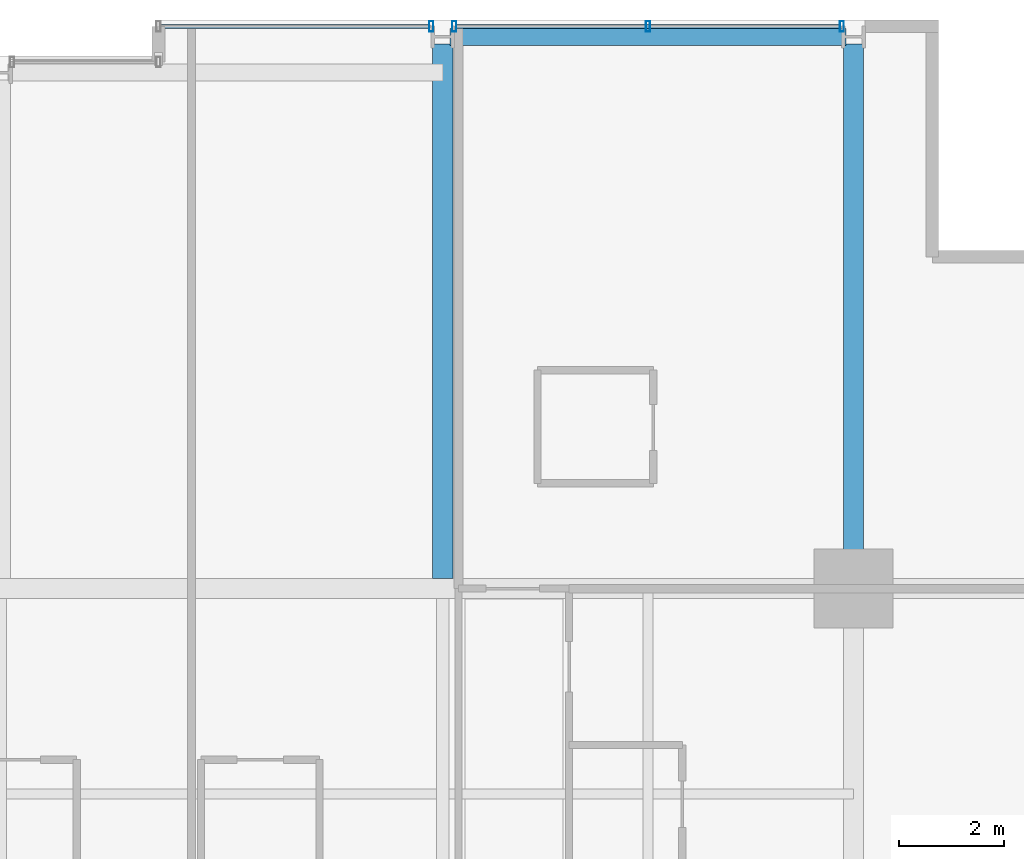
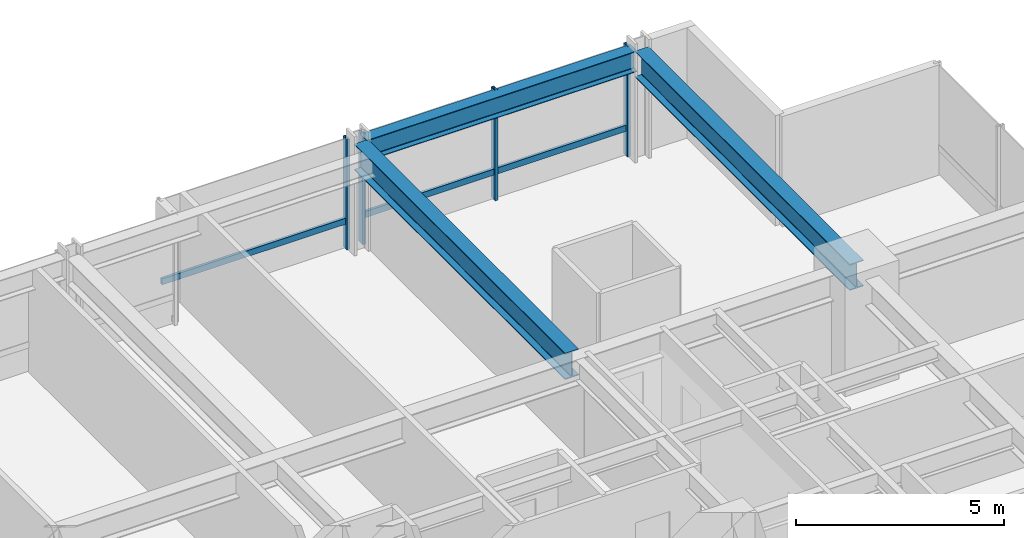
# One storey, part 25 of 35: 6 members, 3 beams, 2 elements without a shape of their own.
"""IFC4 building model written with IfcOpenShell, lengths in metres."""

from ifc_helpers import new_model, si_unit, direction, frame, origin, origin_2d, place, context, subcontext, project, spatial, hollow_rectangle, i_section, extrude, material, layer, layer_set, material_profile, profile_set, type_object, element, aggregate, save


model = new_model("IFC4")

# Units and contexts
model_context = context("Model", 3, precision=1e-05, world=origin(), true_north=direction((0.0, 1.0)))
body_context = subcontext(model_context, "Body", "Model", "MODEL_VIEW")
ifc_project = project(units=[si_unit("LENGTHUNIT", "METRE"), si_unit("AREAUNIT", "SQUARE_METRE"), si_unit("VOLUMEUNIT", "CUBIC_METRE"), si_unit("PLANEANGLEUNIT", "RADIAN"), si_unit("MASSUNIT", "GRAM", prefix="KILO")], contexts=[model_context])

# Site, building, storey
site_placement = place(None, origin())
site = spatial("IfcSite", under=ifc_project, at=site_placement, CompositionType="ELEMENT")
building_placement = place(site_placement, origin())
building = spatial("IfcBuilding", under=site, at=building_placement, Name="Drelvath Grand Hotel", CompositionType="ELEMENT")
storey_placement = place(building_placement, frame((0.0, 0.0, 95.300048828125)))
storey = spatial("IfcBuildingStorey", under=building, at=storey_placement, Name="L23", CompositionType="ELEMENT", Elevation=95.300048828125)

# Curtain wall, member
ifc_material_1 = material(Name="Champagne Bronze Anodised Aluminium Frame", Category="aluminium")
ifc_layer = layer(ifc_material_1, 0.199951171875)
ifc_layer_set = layer_set([ifc_layer], Name="Champagne Bronze Anodised Aluminium Frame")
curtain_wall_type = type_object("IfcCurtainWallType", Name="Stick Curtain Wall CW-03 Champagne Bronze Mid-Rise", PredefinedType="NOTDEFINED", material=ifc_layer_set)
curtain_wall_1_placement = place(storey_placement, origin())
curtain_wall_1 = element("IfcCurtainWall", 1, at=curtain_wall_1_placement, inside=storey, type_object=curtain_wall_type, Name="L23 CW-03 Curtain Wall CW03-L23-NE1", PredefinedType="NOTDEFINED")
ifc_material_profile_1 = material_profile(ifc_material_1, hollow_rectangle(XDim=0.074951171875, YDim=0.179931640625, WallThickness=0.0048828125, at=origin_2d()), Name="HSS180X75X5")
ifc_profile_set_1 = profile_set([ifc_material_profile_1], Name="Champagne Bronze Anodised Aluminium Frame")
member_type_1 = type_object("IfcMemberType", Name="Curtain Wall Horizontal Transom CW-03 HSS180X75X5", PredefinedType="USERDEFINED", material=ifc_profile_set_1)
member_1_placement = place(storey_placement, frame((3.0400390625, 53.8798828125, 0.81005859375), z_axis=(1.0, 0.0, 0.0), x_axis=(0.0, 1.0, 0.0)))
member_1 = element("IfcMember", 2, at=member_1_placement, type_object=member_type_1, Name="CW03-L23-NE1 Sill Transom", ObjectType="TRANSOM", PredefinedType="USERDEFINED", context=body_context, shape_type="SweptSolid", body=[
    extrude(hollow_rectangle(XDim=0.074951171875, YDim=0.179931640625, WallThickness=0.0048828125, at=origin_2d()), origin(), (0.0, 0.0, 1.0), 5.100341796875),
])

curtain_wall_2_placement = place(storey_placement, origin())
curtain_wall_2 = element("IfcCurtainWall", 3, at=curtain_wall_2_placement, inside=storey, type_object=curtain_wall_type, Name="L23 CW-03 Curtain Wall CW03-L23-NE2", PredefinedType="NOTDEFINED")
member_2_placement = place(storey_placement, frame((8.65966796875, 53.8798828125, 0.81005859375), z_axis=(1.0, 0.0, 0.0), x_axis=(0.0, 1.0, 0.0)))
member_2 = element("IfcMember", 4, at=member_2_placement, type_object=member_type_1, Name="CW03-L23-NE2 Sill Transom", ObjectType="TRANSOM", PredefinedType="USERDEFINED", context=body_context, shape_type="SweptSolid", body=[
    extrude(hollow_rectangle(XDim=0.074951171875, YDim=0.179931640625, WallThickness=0.0048828125, at=origin_2d()), origin(), (0.0, 0.0, 1.0), 7.28076171875),
])

# Member
ifc_material_profile_2 = material_profile(ifc_material_1, hollow_rectangle(XDim=0.080078125, YDim=0.199951171875, WallThickness=0.0048828125, at=origin_2d()), Name="HSS200X80X5")
ifc_profile_set_2 = profile_set([ifc_material_profile_2], Name="Champagne Bronze Anodised Aluminium Frame")
member_type_2 = type_object("IfcMemberType", Name="Curtain Wall Vertical Mullion CW-03 HSS200X80X5", PredefinedType="MULLION", material=ifc_profile_set_2)
member_3_placement = place(storey_placement, frame((8.180419921875, 53.8798828125, 0.0), z_axis=(0.0, 0.0, 1.0), x_axis=(1.0, 0.0, 0.0)))
member_3 = element("IfcMember", 5, at=member_3_placement, type_object=member_type_2, Name="CW03-L23-NE1 Mullion 2", PredefinedType="MULLION", context=body_context, shape_type="SweptSolid", body=[
    extrude(hollow_rectangle(XDim=0.080078125, YDim=0.199951171875, WallThickness=0.0048828125, at=origin_2d()), origin(), (0.0, 0.0, 1.0), 3.239990234375),
])

aggregate(curtain_wall_1, [member_3, member_1])

member_4_placement = place(storey_placement, frame((8.61962890625, 53.8798828125, 0.0), z_axis=(0.0, 0.0, 1.0), x_axis=(1.0, 0.0, 0.0)))
member_4 = element("IfcMember", 6, at=member_4_placement, type_object=member_type_2, Name="CW03-L23-NE2 Mullion 1", PredefinedType="MULLION", context=body_context, shape_type="SweptSolid", body=[
    extrude(hollow_rectangle(XDim=0.080078125, YDim=0.199951171875, WallThickness=0.0048828125, at=origin_2d()), origin(), (0.0, 0.0, 1.0), 3.239990234375),
])

member_5_placement = place(storey_placement, frame((12.300048828125, 53.8798828125, 0.0), z_axis=(0.0, 0.0, 1.0), x_axis=(1.0, 0.0, 0.0)))
member_5 = element("IfcMember", 7, at=member_5_placement, type_object=member_type_2, Name="CW03-L23-NE2 Mullion 2", PredefinedType="MULLION", context=body_context, shape_type="SweptSolid", body=[
    extrude(hollow_rectangle(XDim=0.080078125, YDim=0.199951171875, WallThickness=0.0048828125, at=origin_2d()), origin(), (0.0, 0.0, 1.0), 3.239990234375),
])

member_6_placement = place(storey_placement, frame((15.98046875, 53.8798828125, 0.0), z_axis=(0.0, 0.0, 1.0), x_axis=(1.0, 0.0, 0.0)))
member_6 = element("IfcMember", 8, at=member_6_placement, type_object=member_type_2, Name="CW03-L23-NE2 Mullion 3", PredefinedType="MULLION", context=body_context, shape_type="SweptSolid", body=[
    extrude(hollow_rectangle(XDim=0.080078125, YDim=0.199951171875, WallThickness=0.0048828125, at=origin_2d()), origin(), (0.0, 0.0, 1.0), 3.239990234375),
])

aggregate(curtain_wall_2, [member_4, member_5, member_6, member_2])

# Beams
ifc_material_2 = material(Name="Steel ASTM A992 Gr 50", Category="steel")
ifc_material_profile_3 = material_profile(ifc_material_2, i_section(OverallWidth=0.323974609375, OverallDepth=0.611083984375, WebThickness=0.0126953125, FlangeThickness=0.01904296875, FilletRadius=0.02197265625, at=origin_2d()), Name="W24X104")
ifc_profile_set_3 = profile_set([ifc_material_profile_3], Name="Steel ASTM A992 Gr 50")
beam_type_1 = type_object("IfcBeamType", Name="Perimeter Spandrel Beam W24X104", PredefinedType="SPANDREL", material=ifc_profile_set_3)
beam_1_placement = place(storey_placement, frame((8.5400390625, 53.679931640625, 2.9345703125), z_axis=(1.0, 0.0, 0.0), x_axis=(0.0, 1.0, 0.0)))
element("IfcBeam", 9, at=beam_1_placement, inside=storey, type_object=beam_type_1, Name="L23 Spandrel North E", PredefinedType="SPANDREL", context=body_context, shape_type="SweptSolid", body=[
    extrude(i_section(OverallWidth=0.323974609375, OverallDepth=0.611083984375, WebThickness=0.0126953125, FlangeThickness=0.01904296875, FilletRadius=0.02197265625, at=origin_2d()), origin(), (0.0, 0.0, 1.0), 7.52001953125),
])
ifc_material_profile_4 = material_profile(ifc_material_2, i_section(OverallWidth=0.380615234375, OverallDepth=0.773193359375, WebThickness=0.0166015625, FlangeThickness=0.027099609375, FilletRadius=0.02490234375, at=origin_2d()), Name="W30X173")
ifc_profile_set_4 = profile_set([ifc_material_profile_4], Name="Steel ASTM A992 Gr 50")
beam_type_2 = type_object("IfcBeamType", Name="Primary Floor Girder W30X173", PredefinedType="BEAM", material=ifc_profile_set_4)
beam_2_placement = place(storey_placement, frame((16.199951171875, 43.199951171875, 2.853271484375), z_axis=(0.0, 1.0, 0.0), x_axis=(-1.0, 0.0, 0.0)))
element("IfcBeam", 10, at=beam_2_placement, inside=storey, type_object=beam_type_2, Name="L23 North Grid Girder 7", PredefinedType="BEAM", context=body_context, shape_type="SweptSolid", body=[
    extrude(i_section(OverallWidth=0.380615234375, OverallDepth=0.773193359375, WebThickness=0.0166015625, FlangeThickness=0.027099609375, FilletRadius=0.02490234375, at=origin_2d()), origin(), (0.0, 0.0, 1.0), 10.340087890625),
])
beam_3_placement = place(storey_placement, frame((8.39990234375, 43.390380859375, 2.853271484375), z_axis=(0.0, 1.0, 0.0), x_axis=(-1.0, 0.0, 0.0)))
element("IfcBeam", 11, at=beam_3_placement, inside=storey, type_object=beam_type_2, Name="L23 North Wing Girder 6", PredefinedType="BEAM", context=body_context, shape_type="SweptSolid", body=[
    extrude(i_section(OverallWidth=0.380615234375, OverallDepth=0.773193359375, WebThickness=0.0166015625, FlangeThickness=0.027099609375, FilletRadius=0.02490234375, at=origin_2d()), origin(), (0.0, 0.0, 1.0), 10.149658203125),
])

save(model, "model.ifc")
